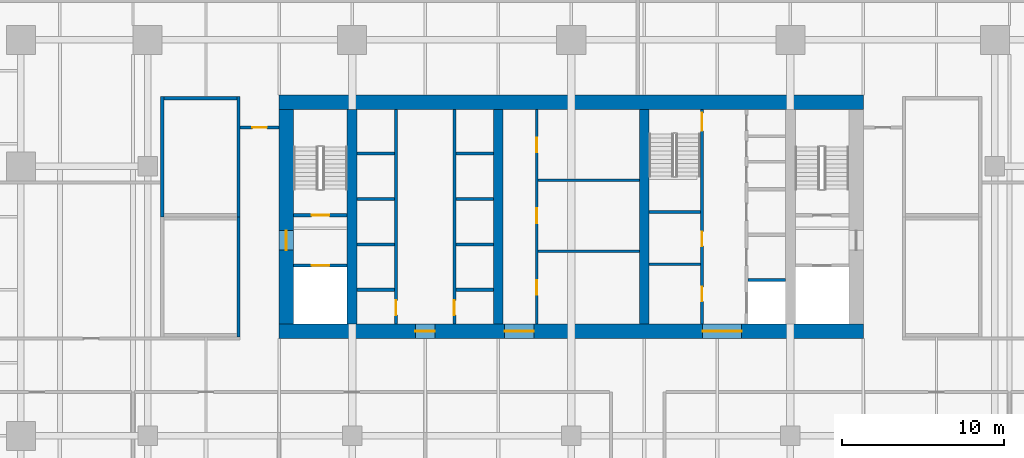
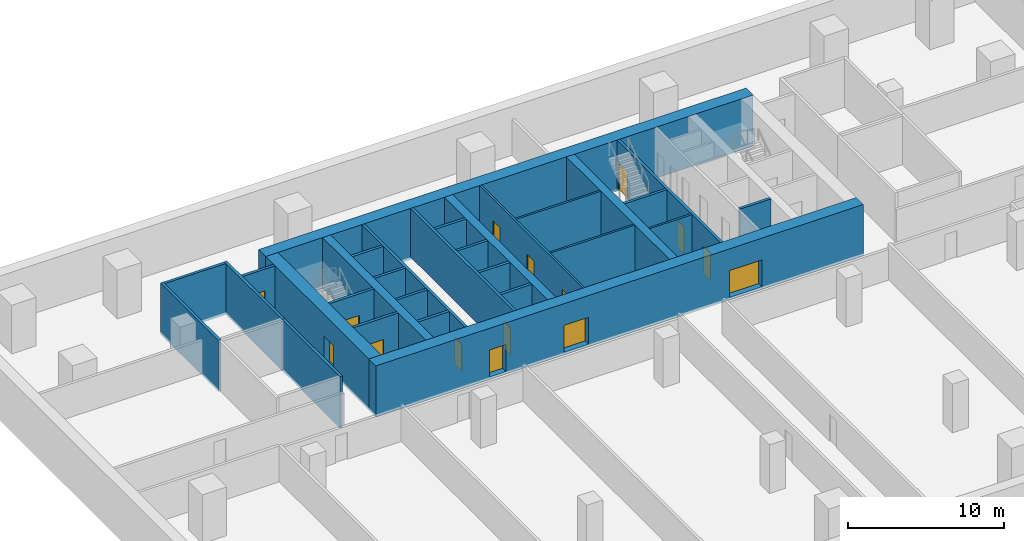
# One storey, part 7 of 10: 30 walls, 15 doors, 15 openings.
"""IFC4 building model written with IfcOpenShell, lengths in metres."""

from ifc_helpers import new_model, si_unit, direction, frame, frame_2d, origin, place, context, subcontext, project, spatial, rectangle, extrude, material, layer, layer_set, type_object, element, fill, save


model = new_model("IFC4")

# Units and contexts
model_context = context("Model", 3, precision=1e-05, world=origin(), true_north=direction((0.0, 1.0)))
body_context = subcontext(model_context, "Body", "Model", "MODEL_VIEW")
ifc_project = project(units=[si_unit("LENGTHUNIT", "METRE"), si_unit("AREAUNIT", "SQUARE_METRE"), si_unit("VOLUMEUNIT", "CUBIC_METRE"), si_unit("PLANEANGLEUNIT", "RADIAN"), si_unit("MASSUNIT", "GRAM", prefix="KILO")], contexts=[model_context])

# Site, building, storey
site_placement = place(None, origin())
site = spatial("IfcSite", under=ifc_project, at=site_placement, CompositionType="ELEMENT")
building_placement = place(site_placement, origin())
building = spatial("IfcBuilding", under=site, at=building_placement, Name="Rattan Terrace Tower", CompositionType="ELEMENT")
storey_placement = place(building_placement, frame((0.0, 0.0, -9.5)))
storey = spatial("IfcBuildingStorey", under=building, at=storey_placement, Name="B2", CompositionType="ELEMENT", Elevation=-9.5)

# Wall, openings, doors
ifc_material_1 = material(Name="Gypsum board partition")
ifc_layer_1 = layer(ifc_material_1, 0.14990234375)
ifc_layer_set_1 = layer_set([ifc_layer_1], Name="Core partition 150")
wall_type_1 = type_object("IfcWallType", Name="Core partition 150", PredefinedType="PARTITIONING", material=ifc_layer_set_1)
wall_1_placement = place(storey_placement, frame((-2.125, -6.60009765625, 0.0), z_axis=(0.0, 0.0, 1.0), x_axis=(0.0, 1.0, 0.0)))
wall_1 = element("IfcWall", 1, at=wall_1_placement, inside=storey, type_object=wall_type_1, Name="Core room wall", PredefinedType="PARTITIONING", context=body_context, shape_type="SweptSolid", body=[
    extrude(rectangle(XDim=13.2001953125, YDim=0.14990234375, at=frame_2d((6.60009765625, 0.0))), origin(), (0.0, 0.0, 1.0), 3.800048828125),
])
opening_1_placement = place(wall_1_placement, frame((1.7939453125, 0.0, 0.0)))
opening_1 = element("IfcOpeningElement", 2, at=opening_1_placement, cuts=wall_1, Name="Opening B2-D008", PredefinedType="OPENING", context=body_context, shape_type="SweptSolid", body=[
    extrude(rectangle(XDim=0.89990234375, YDim=2.10009765625, at=frame_2d((0.449951171875, 1.050048828125))), frame((0.0, 0.08544921875, 0.0), z_axis=(0.0, -1.0, 0.0), x_axis=(1.0, 0.0, 0.0)), (0.0, 0.0, 1.0), 0.1708984375),
])
opening_2_placement = place(wall_1_placement, frame((6.216064453125, 0.0, 0.0)))
opening_2 = element("IfcOpeningElement", 3, at=opening_2_placement, cuts=wall_1, Name="Opening B2-D009", PredefinedType="OPENING", context=body_context, shape_type="SweptSolid", body=[
    extrude(rectangle(XDim=0.89990234375, YDim=2.10009765625, at=frame_2d((0.449951171875, 1.050048828125))), frame((0.0, 0.08544921875, 0.0), z_axis=(0.0, -1.0, 0.0), x_axis=(1.0, 0.0, 0.0)), (0.0, 0.0, 1.0), 0.1708984375),
])
opening_3_placement = place(wall_1_placement, frame((10.572021484375, 0.0, 0.0)))
opening_3 = element("IfcOpeningElement", 4, at=opening_3_placement, cuts=wall_1, Name="Opening B2-D010", PredefinedType="OPENING", context=body_context, shape_type="SweptSolid", body=[
    extrude(rectangle(XDim=0.89990234375, YDim=2.10009765625, at=frame_2d((0.449951171875, 1.050048828125))), frame((0.0, 0.08544921875, 0.0), z_axis=(0.0, -1.0, 0.0), x_axis=(1.0, 0.0, 0.0)), (0.0, 0.0, 1.0), 0.1708984375),
])
ifc_material_2 = material(Name="Hollow-metal fire door leaf")
door_type_1 = type_object("IfcDoorType", Name="Core service room door 900", OperationType="NOTDEFINED", PredefinedType="DOOR", material=ifc_material_2)
door_1_placement = place(opening_1_placement, origin())
door_1 = element("IfcDoor", 5, at=door_1_placement, inside=storey, type_object=door_type_1, Name="Door B2-D008", OperationType="SINGLE_SWING_RIGHT", OverallHeight=2.10009765625, OverallWidth=0.89990234375, PredefinedType="DOOR", context=body_context, shape_type="SweptSolid", body=[
    extrude(rectangle(XDim=0.89990234375, YDim=2.10009765625, at=frame_2d((0.449951171875, 1.050048828125))), frame((0.0, 0.02490234375, 0.0), z_axis=(0.0, -1.0, 0.0), x_axis=(1.0, 0.0, 0.0)), (0.0, 0.0, 1.0), 0.050048828125),
])
fill(opening_1, door_1)
door_2_placement = place(opening_2_placement, origin())
door_2 = element("IfcDoor", 6, at=door_2_placement, inside=storey, type_object=door_type_1, Name="Door B2-D009", OperationType="SINGLE_SWING_LEFT", OverallHeight=2.10009765625, OverallWidth=0.89990234375, PredefinedType="DOOR", context=body_context, shape_type="SweptSolid", body=[
    extrude(rectangle(XDim=0.89990234375, YDim=2.10009765625, at=frame_2d((0.449951171875, 1.050048828125))), frame((0.0, 0.02490234375, 0.0), z_axis=(0.0, -1.0, 0.0), x_axis=(1.0, 0.0, 0.0)), (0.0, 0.0, 1.0), 0.050048828125),
])
fill(opening_2, door_2)
door_3_placement = place(opening_3_placement, origin())
door_3 = element("IfcDoor", 7, at=door_3_placement, inside=storey, type_object=door_type_1, Name="Door B2-D010", OperationType="SINGLE_SWING_RIGHT", OverallHeight=2.10009765625, OverallWidth=0.89990234375, PredefinedType="DOOR", context=body_context, shape_type="SweptSolid", body=[
    extrude(rectangle(XDim=0.89990234375, YDim=2.10009765625, at=frame_2d((0.449951171875, 1.050048828125))), frame((0.0, 0.02490234375, 0.0), z_axis=(0.0, -1.0, 0.0), x_axis=(1.0, 0.0, 0.0)), (0.0, 0.0, 1.0), 0.050048828125),
])
fill(opening_3, door_3)

# Walls
for number, where, z_axis, x_axis, name in (
    (8, (-2.050048828125, -2.112060546875, 0.0), (0.0, 0.0, 1.0), (1.0, 0.0, 0.0), "Core room wall"),
    (9, (-2.050048828125, 2.243896484375, 0.0), (0.0, 0.0, 1.0), (1.0, 0.0, 0.0), "Core room wall"),
):
    element("IfcWall", number, at=place(storey_placement, frame(where, z_axis=z_axis, x_axis=x_axis)), inside=storey, type_object=wall_type_1, Name=name, PredefinedType="PARTITIONING", context=body_context, shape_type="SweptSolid", body=[
        extrude(rectangle(XDim=6.25, YDim=0.14990234375, at=frame_2d((3.125, 0.0))), origin(), (0.0, 0.0, 1.0), 3.800048828125),
    ])
wall_2_placement = place(storey_placement, frame((4.800048828125, -2.927978515625, 0.0), z_axis=(0.0, 0.0, 1.0), x_axis=(1.0, 0.0, 0.0)))
element("IfcWall", 10, at=wall_2_placement, inside=storey, type_object=wall_type_1, Name="Toilet wall", PredefinedType="PARTITIONING", context=body_context, shape_type="SweptSolid", body=[
    extrude(rectangle(XDim=3.14990234375, YDim=0.14990234375, at=frame_2d((1.574951171875, 0.0))), origin(), (0.0, 0.0, 1.0), 3.800048828125),
])

# Wall, opening, door
ifc_material_3 = material(Name="Gypsum board partition")
ifc_layer_2 = layer(ifc_material_3, 0.199951171875)
ifc_layer_set_2 = layer_set([ifc_layer_2], Name="Core partition 200")
wall_type_2 = type_object("IfcWallType", Name="Core partition 200", PredefinedType="PARTITIONING", material=ifc_layer_set_2)
wall_3_placement = place(storey_placement, frame((-17.10009765625, -3.0, 0.0), z_axis=(0.0, 0.0, 1.0), x_axis=(1.0, 0.0, 0.0)))
wall_3 = element("IfcWall", 11, at=wall_3_placement, inside=storey, type_object=wall_type_2, Name="Fire-fighting lobby wall", PredefinedType="PARTITIONING", context=body_context, shape_type="SweptSolid", body=[
    extrude(rectangle(XDim=3.300048828125, YDim=0.199951171875, at=frame_2d((1.64990234375, 0.0))), origin(), (0.0, 0.0, 1.0), 3.800048828125),
])
opening_4_placement = place(wall_3_placement, frame((1.10009765625, 0.0, 0.0)))
opening_4 = element("IfcOpeningElement", 12, at=opening_4_placement, cuts=wall_3, Name="Opening B2-LD-FF1", PredefinedType="OPENING", context=body_context, shape_type="SweptSolid", body=[
    extrude(rectangle(XDim=1.10009765625, YDim=2.10009765625, at=frame_2d((0.550048828125, 1.050048828125))), frame((0.0, 0.110595703125, 0.0), z_axis=(0.0, -1.0, 0.0), x_axis=(1.0, 0.0, 0.0)), (0.0, 0.0, 1.0), 0.220947265625),
])
ifc_material_4 = material(Name="Brushed stainless landing door panel")
door_type_2 = type_object("IfcDoorType", Name="Core lift landing door 1100", OperationType="DOUBLE_DOOR_SLIDING", PredefinedType="DOOR", material=ifc_material_4)
door_4_placement = place(opening_4_placement, origin())
door_4 = element("IfcDoor", 13, at=door_4_placement, inside=storey, type_object=door_type_2, Name="Door B2-LD-FF1", OperationType="DOUBLE_DOOR_SLIDING", OverallHeight=2.10009765625, OverallWidth=1.10009765625, PredefinedType="DOOR", context=body_context, shape_type="SweptSolid", body=[
    extrude(rectangle(XDim=1.10009765625, YDim=2.10009765625, at=frame_2d((0.550048828125, 1.050048828125))), frame((0.0, 0.02490234375, 0.0), z_axis=(0.0, -1.0, 0.0), x_axis=(1.0, 0.0, 0.0)), (0.0, 0.0, 1.0), 0.050048828125),
])
fill(opening_4, door_4)

wall_4_placement = place(storey_placement, frame((-17.10009765625, 0.10009765625, 0.0), z_axis=(0.0, 0.0, 1.0), x_axis=(1.0, 0.0, 0.0)))
wall_4 = element("IfcWall", 14, at=wall_4_placement, inside=storey, type_object=wall_type_2, Name="Stair enclosure wall", PredefinedType="PARTITIONING", context=body_context, shape_type="SweptSolid", body=[
    extrude(rectangle(XDim=3.300048828125, YDim=0.199951171875, at=frame_2d((1.64990234375, 0.0))), origin(), (0.0, 0.0, 1.0), 3.800048828125),
])
opening_5_placement = place(wall_4_placement, frame((1.10009765625, 0.0, 0.0)))
opening_5 = element("IfcOpeningElement", 15, at=opening_5_placement, cuts=wall_4, Name="Opening B2-D002", PredefinedType="OPENING", context=body_context, shape_type="SweptSolid", body=[
    extrude(rectangle(XDim=1.10009765625, YDim=2.10009765625, at=frame_2d((0.550048828125, 1.050048828125))), frame((0.0, 0.110595703125, 0.0), z_axis=(0.0, -1.0, 0.0), x_axis=(1.0, 0.0, 0.0)), (0.0, 0.0, 1.0), 0.220947265625),
])
ifc_material_5 = material(Name="Hollow-metal fire door leaf")
door_type_3 = type_object("IfcDoorType", Name="Core stair door 1100", OperationType="NOTDEFINED", PredefinedType="DOOR", material=ifc_material_5)
door_5_placement = place(opening_5_placement, origin())
door_5 = element("IfcDoor", 16, at=door_5_placement, inside=storey, type_object=door_type_3, Name="Door B2-D002", OperationType="SINGLE_SWING_RIGHT", OverallHeight=2.10009765625, OverallWidth=1.10009765625, PredefinedType="DOOR", context=body_context, shape_type="SweptSolid", body=[
    extrude(rectangle(XDim=1.10009765625, YDim=2.10009765625, at=frame_2d((0.550048828125, 1.050048828125))), frame((0.0, 0.02490234375, 0.0), z_axis=(0.0, -1.0, 0.0), x_axis=(1.0, 0.0, 0.0)), (0.0, 0.0, 1.0), 0.050048828125),
])
fill(opening_5, door_5)

# Wall, openings, doors
wall_5_placement = place(storey_placement, frame((8.050048828125, -6.60009765625, 0.0), z_axis=(0.0, 0.0, 1.0), x_axis=(0.0, 1.0, 0.0)))
wall_5 = element("IfcWall", 17, at=wall_5_placement, inside=storey, type_object=wall_type_2, Name="Lobby wall west", PredefinedType="PARTITIONING", context=body_context, shape_type="SweptSolid", body=[
    extrude(rectangle(XDim=13.2001953125, YDim=0.199951171875, at=frame_2d((6.60009765625, 0.0))), origin(), (0.0, 0.0, 1.0), 3.800048828125),
])
opening_6_placement = place(wall_5_placement, frame((1.385986328125, 0.0, 0.0)))
opening_6 = element("IfcOpeningElement", 18, at=opening_6_placement, cuts=wall_5, Name="Opening B2-D012", PredefinedType="OPENING", context=body_context, shape_type="SweptSolid", body=[
    extrude(rectangle(XDim=0.89990234375, YDim=2.10009765625, at=frame_2d((0.449951171875, 1.050048828125))), frame((0.0, 0.110595703125, 0.0), z_axis=(0.0, -1.0, 0.0), x_axis=(1.0, 0.0, 0.0)), (0.0, 0.0, 1.0), 0.220947265625),
])
opening_7_placement = place(wall_5_placement, frame((4.785888671875, 0.0, 0.0)))
opening_7 = element("IfcOpeningElement", 19, at=opening_7_placement, cuts=wall_5, Name="Opening B2-D013", PredefinedType="OPENING", context=body_context, shape_type="SweptSolid", body=[
    extrude(rectangle(XDim=0.89990234375, YDim=2.10009765625, at=frame_2d((0.449951171875, 1.050048828125))), frame((0.0, 0.110595703125, 0.0), z_axis=(0.0, -1.0, 0.0), x_axis=(1.0, 0.0, 0.0)), (0.0, 0.0, 1.0), 0.220947265625),
])
opening_8_placement = place(wall_5_placement, frame((11.89990234375, 0.0, 0.0)))
opening_8 = element("IfcOpeningElement", 20, at=opening_8_placement, cuts=wall_5, Name="Opening B2-D014", PredefinedType="OPENING", context=body_context, shape_type="SweptSolid", body=[
    extrude(rectangle(XDim=1.10009765625, YDim=2.10009765625, at=frame_2d((0.550048828125, 1.050048828125))), frame((0.0, 0.110595703125, 0.0), z_axis=(0.0, -1.0, 0.0), x_axis=(1.0, 0.0, 0.0)), (0.0, 0.0, 1.0), 0.220947265625),
])
door_6_placement = place(opening_8_placement, origin())
door_6 = element("IfcDoor", 21, at=door_6_placement, inside=storey, type_object=door_type_3, Name="Door B2-D014", OperationType="SINGLE_SWING_RIGHT", OverallHeight=2.10009765625, OverallWidth=1.10009765625, PredefinedType="DOOR", context=body_context, shape_type="SweptSolid", body=[
    extrude(rectangle(XDim=1.10009765625, YDim=2.10009765625, at=frame_2d((0.550048828125, 1.050048828125))), frame((0.0, 0.02490234375, 0.0), z_axis=(0.0, -1.0, 0.0), x_axis=(1.0, 0.0, 0.0)), (0.0, 0.0, 1.0), 0.050048828125),
])
fill(opening_8, door_6)
ifc_material_6 = material(Name="Hollow-metal fire door leaf")
door_type_4 = type_object("IfcDoorType", Name="Core toilet door 900", OperationType="NOTDEFINED", PredefinedType="DOOR", material=ifc_material_6)
door_7_placement = place(opening_6_placement, origin())
door_7 = element("IfcDoor", 22, at=door_7_placement, inside=storey, type_object=door_type_4, Name="Door B2-D012", OperationType="SINGLE_SWING_RIGHT", OverallHeight=2.10009765625, OverallWidth=0.89990234375, PredefinedType="DOOR", context=body_context, shape_type="SweptSolid", body=[
    extrude(rectangle(XDim=0.89990234375, YDim=2.10009765625, at=frame_2d((0.449951171875, 1.050048828125))), frame((0.0, 0.02490234375, 0.0), z_axis=(0.0, -1.0, 0.0), x_axis=(1.0, 0.0, 0.0)), (0.0, 0.0, 1.0), 0.050048828125),
])
fill(opening_6, door_7)
door_8_placement = place(opening_7_placement, origin())
door_8 = element("IfcDoor", 23, at=door_8_placement, inside=storey, type_object=door_type_4, Name="Door B2-D013", OperationType="SINGLE_SWING_LEFT", OverallHeight=2.10009765625, OverallWidth=0.89990234375, PredefinedType="DOOR", context=body_context, shape_type="SweptSolid", body=[
    extrude(rectangle(XDim=0.89990234375, YDim=2.10009765625, at=frame_2d((0.449951171875, 1.050048828125))), frame((0.0, 0.02490234375, 0.0), z_axis=(0.0, -1.0, 0.0), x_axis=(1.0, 0.0, 0.0)), (0.0, 0.0, 1.0), 0.050048828125),
])
fill(opening_7, door_8)

# Wall
wall_6_placement = place(storey_placement, frame((4.800048828125, 0.300048828125, 0.0), z_axis=(0.0, 0.0, 1.0), x_axis=(1.0, 0.0, 0.0)))
element("IfcWall", 24, at=wall_6_placement, inside=storey, type_object=wall_type_2, Name="Stair enclosure wall", PredefinedType="PARTITIONING", context=body_context, shape_type="SweptSolid", body=[
    extrude(rectangle(XDim=3.14990234375, YDim=0.199951171875, at=frame_2d((1.574951171875, 0.0))), origin(), (0.0, 0.0, 1.0), 3.800048828125),
])

# Wall, openings, doors
ifc_material_7 = material(Name="Concrete C70/85", Category="concrete")
ifc_layer_3 = layer(ifc_material_7, 0.89990234375)
ifc_layer_set_3 = layer_set([ifc_layer_3], Name="Core ring wall 900 C70/85")
wall_type_3 = type_object("IfcWallType", Name="Core ring wall 900 C70/85", PredefinedType="SHEAR", material=ifc_layer_set_3)
wall_7_placement = place(storey_placement, frame((-18.0, -7.050048828125, -0.199951171875), z_axis=(0.0, 0.0, 1.0), x_axis=(1.0, 0.0, 0.0)))
wall_7 = element("IfcWall", 25, at=wall_7_placement, inside=storey, type_object=wall_type_3, Name="Rear core wall south", PredefinedType="SHEAR", context=body_context, shape_type="SweptSolid", body=[
    extrude(rectangle(XDim=36.0, YDim=0.89990234375, at=frame_2d((18.0, 0.0))), origin(), (0.0, 0.0, 1.0), 4.0),
])
opening_9_placement = place(wall_7_placement, frame((8.39990234375, 0.0, 0.199951171875)))
opening_9 = element("IfcOpeningElement", 26, at=opening_9_placement, cuts=wall_7, Name="Opening B2-D007", PredefinedType="OPENING", context=body_context, shape_type="SweptSolid", body=[
    extrude(rectangle(XDim=1.199951171875, YDim=2.10009765625, at=frame_2d((0.60009765625, 1.050048828125))), frame((0.0, 0.46044921875, 0.0), z_axis=(0.0, -1.0, 0.0), x_axis=(1.0, 0.0, 0.0)), (0.0, 0.0, 1.0), 0.9208984375),
])
opening_10_placement = place(wall_7_placement, frame((13.89990234375, 0.0, 0.199951171875)))
opening_10 = element("IfcOpeningElement", 27, at=opening_10_placement, cuts=wall_7, Name="Opening B2-D011", PredefinedType="OPENING", context=body_context, shape_type="SweptSolid", body=[
    extrude(rectangle(XDim=1.800048828125, YDim=2.10009765625, at=frame_2d((0.89990234375, 1.050048828125))), frame((0.0, 0.46044921875, 0.0), z_axis=(0.0, -1.0, 0.0), x_axis=(1.0, 0.0, 0.0)), (0.0, 0.0, 1.0), 0.9208984375),
])
opening_11_placement = place(wall_7_placement, frame((26.10009765625, 0.0, 0.199951171875)))
opening_11 = element("IfcOpeningElement", 28, at=opening_11_placement, cuts=wall_7, Name="Opening B2-D015", PredefinedType="OPENING", context=body_context, shape_type="SweptSolid", body=[
    extrude(rectangle(XDim=2.39990234375, YDim=2.10009765625, at=frame_2d((1.199951171875, 1.050048828125))), frame((0.0, 0.46044921875, 0.0), z_axis=(0.0, -1.0, 0.0), x_axis=(1.0, 0.0, 0.0)), (0.0, 0.0, 1.0), 0.9208984375),
])
ifc_material_8 = material(Name="Hollow-metal fire door leaf")
door_type_5 = type_object("IfcDoorType", Name="Core lift lobby door 2400", OperationType="NOTDEFINED", PredefinedType="DOOR", material=ifc_material_8)
door_9_placement = place(opening_11_placement, origin())
door_9 = element("IfcDoor", 29, at=door_9_placement, inside=storey, type_object=door_type_5, Name="Door B2-D015", OperationType="DOUBLE_DOOR_DOUBLE_SWING", OverallHeight=2.10009765625, OverallWidth=2.39990234375, PredefinedType="DOOR", context=body_context, shape_type="SweptSolid", body=[
    extrude(rectangle(XDim=2.39990234375, YDim=2.10009765625, at=frame_2d((1.199951171875, 1.050048828125))), frame((0.0, 0.02490234375, 0.0), z_axis=(0.0, -1.0, 0.0), x_axis=(1.0, 0.0, 0.0)), (0.0, 0.0, 1.0), 0.050048828125),
])
fill(opening_11, door_9)
ifc_material_9 = material(Name="Hollow-metal fire door leaf")
door_type_6 = type_object("IfcDoorType", Name="Core riser door 1200", OperationType="NOTDEFINED", PredefinedType="DOOR", material=ifc_material_9)
door_10_placement = place(opening_9_placement, origin())
door_10 = element("IfcDoor", 30, at=door_10_placement, inside=storey, type_object=door_type_6, Name="Door B2-D007", OperationType="SINGLE_SWING_LEFT", OverallHeight=2.10009765625, OverallWidth=1.199951171875, PredefinedType="DOOR", context=body_context, shape_type="SweptSolid", body=[
    extrude(rectangle(XDim=1.199951171875, YDim=2.10009765625, at=frame_2d((0.60009765625, 1.050048828125))), frame((0.0, 0.02490234375, 0.0), z_axis=(0.0, -1.0, 0.0), x_axis=(1.0, 0.0, 0.0)), (0.0, 0.0, 1.0), 0.050048828125),
])
fill(opening_9, door_10)
ifc_material_10 = material(Name="Hollow-metal fire door leaf")
door_type_7 = type_object("IfcDoorType", Name="Core service room door 1800", OperationType="NOTDEFINED", PredefinedType="DOOR", material=ifc_material_10)
door_11_placement = place(opening_10_placement, origin())
door_11 = element("IfcDoor", 31, at=door_11_placement, inside=storey, type_object=door_type_7, Name="Door B2-D011", OperationType="SINGLE_SWING_LEFT", OverallHeight=2.10009765625, OverallWidth=1.800048828125, PredefinedType="DOOR", context=body_context, shape_type="SweptSolid", body=[
    extrude(rectangle(XDim=1.800048828125, YDim=2.10009765625, at=frame_2d((0.89990234375, 1.050048828125))), frame((0.0, 0.02490234375, 0.0), z_axis=(0.0, -1.0, 0.0), x_axis=(1.0, 0.0, 0.0)), (0.0, 0.0, 1.0), 0.050048828125),
])
fill(opening_10, door_11)

# Wall
wall_8_placement = place(storey_placement, frame((-18.0, 7.050048828125, -0.199951171875), z_axis=(0.0, 0.0, 1.0), x_axis=(1.0, 0.0, 0.0)))
element("IfcWall", 32, at=wall_8_placement, inside=storey, type_object=wall_type_3, Name="Rear core wall north", PredefinedType="SHEAR", context=body_context, shape_type="SweptSolid", body=[
    extrude(rectangle(XDim=36.0, YDim=0.89990234375, at=frame_2d((18.0, 0.0))), origin(), (0.0, 0.0, 1.0), 4.0),
])

# Wall, opening, door
wall_9_placement = place(storey_placement, frame((-17.550048828125, -6.60009765625, -0.199951171875), z_axis=(0.0, 0.0, 1.0), x_axis=(0.0, 1.0, 0.0)))
wall_9 = element("IfcWall", 33, at=wall_9_placement, inside=storey, type_object=wall_type_3, Name="Rear core wall west", PredefinedType="SHEAR", context=body_context, shape_type="SweptSolid", body=[
    extrude(rectangle(XDim=13.2001953125, YDim=0.89990234375, at=frame_2d((6.60009765625, 0.0))), origin(), (0.0, 0.0, 1.0), 4.0),
])
opening_12_placement = place(wall_9_placement, frame((4.550048828125, 0.0, 0.199951171875)))
opening_12 = element("IfcOpeningElement", 34, at=opening_12_placement, cuts=wall_9, Name="Opening B2-D001", PredefinedType="OPENING", context=body_context, shape_type="SweptSolid", body=[
    extrude(rectangle(XDim=1.199951171875, YDim=2.10009765625, at=frame_2d((0.60009765625, 1.050048828125))), frame((0.0, 0.46044921875, 0.0), z_axis=(0.0, -1.0, 0.0), x_axis=(1.0, 0.0, 0.0)), (0.0, 0.0, 1.0), 0.9208984375),
])
ifc_material_11 = material(Name="Hollow-metal fire door leaf")
door_type_8 = type_object("IfcDoorType", Name="Core fire-fighting lobby door 1200", OperationType="NOTDEFINED", PredefinedType="DOOR", material=ifc_material_11)
door_12_placement = place(opening_12_placement, origin())
door_12 = element("IfcDoor", 35, at=door_12_placement, inside=storey, type_object=door_type_8, Name="Door B2-D001", OperationType="SINGLE_SWING_LEFT", OverallHeight=2.10009765625, OverallWidth=1.199951171875, PredefinedType="DOOR", context=body_context, shape_type="SweptSolid", body=[
    extrude(rectangle(XDim=1.199951171875, YDim=2.10009765625, at=frame_2d((0.60009765625, 1.050048828125))), frame((0.0, 0.02490234375, 0.0), z_axis=(0.0, -1.0, 0.0), x_axis=(1.0, 0.0, 0.0)), (0.0, 0.0, 1.0), 0.050048828125),
])
fill(opening_12, door_12)

# Walls
ifc_material_12 = material(Name="Concrete C70/85", Category="concrete")
ifc_layer_4 = layer(ifc_material_12, 0.60009765625)
ifc_layer_set_4 = layer_set([ifc_layer_4], Name="Core spine wall 600 C70/85")
wall_type_4 = type_object("IfcWallType", Name="Core spine wall 600 C70/85", PredefinedType="SHEAR", material=ifc_layer_set_4)
for number, where, z_axis, x_axis, name in (
    (36, (-13.5, -6.60009765625, -0.199951171875), (0.0, 0.0, 1.0), (0.0, 1.0, 0.0), "Core spine wall 1"),
    (37, (-4.5, -6.60009765625, -0.199951171875), (0.0, 0.0, 1.0), (0.0, 1.0, 0.0), "Core spine wall 2"),
    (38, (4.5, -6.60009765625, -0.199951171875), (0.0, 0.0, 1.0), (0.0, 1.0, 0.0), "Core spine wall 3"),
):
    element("IfcWall", number, at=place(storey_placement, frame(where, z_axis=z_axis, x_axis=x_axis)), inside=storey, type_object=wall_type_4, Name=name, PredefinedType="SHEAR", context=body_context, shape_type="SweptSolid", body=[
        extrude(rectangle(XDim=13.2001953125, YDim=0.60009765625, at=frame_2d((6.60009765625, 0.0))), origin(), (0.0, 0.0, 1.0), 4.0),
    ])

# Wall, opening, door
ifc_material_13 = material(Name="Concrete block wall, plastered", Category="concrete")
ifc_layer_5 = layer(ifc_material_13, 0.199951171875)
ifc_layer_set_5 = layer_set([ifc_layer_5], Name="Floors Plant Wall 200")
wall_type_5 = type_object("IfcWallType", Name="Floors Plant Wall 200", PredefinedType="PARTITIONING", material=ifc_layer_set_5)
wall_10_placement = place(storey_placement, frame((-20.39990234375, 5.5, 0.0), z_axis=(0.0, 0.0, 1.0), x_axis=(1.0, 0.0, 0.0)))
wall_10 = element("IfcWall", 39, at=wall_10_placement, inside=storey, type_object=wall_type_5, Name="pt-B2-011", PredefinedType="PARTITIONING", context=body_context, shape_type="SweptSolid", body=[
    extrude(rectangle(XDim=2.39990234375, YDim=0.199951171875, at=frame_2d((1.199951171875, 0.0))), origin(), (0.0, 0.0, 1.0), 3.800048828125),
])
opening_13_placement = place(wall_10_placement, frame((0.75, 0.0, 0.0)))
opening_13 = element("IfcOpeningElement", 40, at=opening_13_placement, cuts=wall_10, Name="Opening B2-D108", PredefinedType="OPENING", context=body_context, shape_type="SweptSolid", body=[
    extrude(rectangle(XDim=0.89990234375, YDim=2.10009765625, at=frame_2d((0.449951171875, 1.050048828125))), frame((0.0, 0.110595703125, 0.0), z_axis=(0.0, -1.0, 0.0), x_axis=(1.0, 0.0, 0.0)), (0.0, 0.0, 1.0), 0.220947265625),
])
ifc_material_14 = material(Name="Steel fire door set", Category="steel")
door_type_9 = type_object("IfcDoorType", Name="Floors Fire Door FD60 900x2100", OperationType="NOTDEFINED", PredefinedType="DOOR", material=ifc_material_14)
door_13_placement = place(opening_13_placement, origin())
door_13 = element("IfcDoor", 41, at=door_13_placement, inside=storey, type_object=door_type_9, Name="d-B2-108", OperationType="SINGLE_SWING_LEFT", OverallHeight=2.10009765625, OverallWidth=0.89990234375, PredefinedType="DOOR", context=body_context, shape_type="SweptSolid", body=[
    extrude(rectangle(XDim=0.89990234375, YDim=2.10009765625, at=frame_2d((0.449951171875, 1.050048828125))), frame((0.0, 0.02490234375, 0.0), z_axis=(0.0, -1.0, 0.0), x_axis=(1.0, 0.0, 0.0)), (0.0, 0.0, 1.0), 0.050048828125),
])
fill(opening_13, door_13)

ifc_material_15 = material(Name="Gypsum shaft wall system")
ifc_layer_6 = layer(ifc_material_15, 0.199951171875)
ifc_layer_set_6 = layer_set([ifc_layer_6], Name="Lift shaft wall 200")
wall_type_6 = type_object("IfcWallType", Name="Lift shaft wall 200", PredefinedType="PARTITIONING", material=ifc_layer_set_6)
wall_11_placement = place(storey_placement, frame((-10.800048828125, -6.60009765625, 0.0), z_axis=(0.0, 0.0, 1.0), x_axis=(0.0, 1.0, 0.0)))
wall_11 = element("IfcWall", 42, at=wall_11_placement, inside=storey, type_object=wall_type_6, Name="Lift shaft front wall", PredefinedType="PARTITIONING", context=body_context, shape_type="SweptSolid", body=[
    extrude(rectangle(XDim=13.2001953125, YDim=0.199951171875, at=frame_2d((6.60009765625, 0.0))), origin(), (0.0, 0.0, 1.0), 3.800048828125),
])
opening_14_placement = place(wall_11_placement, frame((0.550048828125, 0.0, 0.0)))
opening_14 = element("IfcOpeningElement", 43, at=opening_14_placement, cuts=wall_11, Name="Opening B2-D005", PredefinedType="OPENING", context=body_context, shape_type="SweptSolid", body=[
    extrude(rectangle(XDim=0.89990234375, YDim=2.10009765625, at=frame_2d((0.449951171875, 1.050048828125))), frame((0.0, 0.110595703125, 0.0), z_axis=(0.0, -1.0, 0.0), x_axis=(1.0, 0.0, 0.0)), (0.0, 0.0, 1.0), 0.220947265625),
])
ifc_material_16 = material(Name="Hollow-metal fire door leaf")
door_type_10 = type_object("IfcDoorType", Name="Core riser door 900", OperationType="NOTDEFINED", PredefinedType="DOOR", material=ifc_material_16)
door_14_placement = place(opening_14_placement, origin())
door_14 = element("IfcDoor", 44, at=door_14_placement, inside=storey, type_object=door_type_10, Name="Door B2-D005", OperationType="SINGLE_SWING_LEFT", OverallHeight=2.10009765625, OverallWidth=0.89990234375, PredefinedType="DOOR", context=body_context, shape_type="SweptSolid", body=[
    extrude(rectangle(XDim=0.89990234375, YDim=2.10009765625, at=frame_2d((0.449951171875, 1.050048828125))), frame((0.0, 0.02490234375, 0.0), z_axis=(0.0, -1.0, 0.0), x_axis=(1.0, 0.0, 0.0)), (0.0, 0.0, 1.0), 0.050048828125),
])
fill(opening_14, door_14)

wall_12_placement = place(storey_placement, frame((-7.199951171875, -6.60009765625, 0.0), z_axis=(0.0, 0.0, 1.0), x_axis=(0.0, 1.0, 0.0)))
wall_12 = element("IfcWall", 45, at=wall_12_placement, inside=storey, type_object=wall_type_6, Name="Lift shaft front wall", PredefinedType="PARTITIONING", context=body_context, shape_type="SweptSolid", body=[
    extrude(rectangle(XDim=13.2001953125, YDim=0.199951171875, at=frame_2d((6.60009765625, 0.0))), origin(), (0.0, 0.0, 1.0), 3.800048828125),
])
opening_15_placement = place(wall_12_placement, frame((0.550048828125, 0.0, 0.0)))
opening_15 = element("IfcOpeningElement", 46, at=opening_15_placement, cuts=wall_12, Name="Opening B2-D006", PredefinedType="OPENING", context=body_context, shape_type="SweptSolid", body=[
    extrude(rectangle(XDim=0.89990234375, YDim=2.10009765625, at=frame_2d((0.449951171875, 1.050048828125))), frame((0.0, 0.110595703125, 0.0), z_axis=(0.0, -1.0, 0.0), x_axis=(1.0, 0.0, 0.0)), (0.0, 0.0, 1.0), 0.220947265625),
])
door_15_placement = place(opening_15_placement, origin())
door_15 = element("IfcDoor", 47, at=door_15_placement, inside=storey, type_object=door_type_10, Name="Door B2-D006", OperationType="SINGLE_SWING_RIGHT", OverallHeight=2.10009765625, OverallWidth=0.89990234375, PredefinedType="DOOR", context=body_context, shape_type="SweptSolid", body=[
    extrude(rectangle(XDim=0.89990234375, YDim=2.10009765625, at=frame_2d((0.449951171875, 1.050048828125))), frame((0.0, 0.02490234375, 0.0), z_axis=(0.0, -1.0, 0.0), x_axis=(1.0, 0.0, 0.0)), (0.0, 0.0, 1.0), 0.050048828125),
])
fill(opening_15, door_15)

# Walls
for number, where, z_axis, x_axis, name in (
    (48, (-13.199951171875, -1.699951171875, 0.0), (0.0, 0.0, 1.0), (1.0, 0.0, 0.0), "Lift shaft wall"),
    (49, (-13.199951171875, 1.10009765625, 0.0), (0.0, 0.0, 1.0), (1.0, 0.0, 0.0), "Lift shaft wall"),
    (50, (-13.199951171875, 3.89990234375, 0.0), (0.0, 0.0, 1.0), (1.0, 0.0, 0.0), "Lift shaft wall"),
    (51, (-13.199951171875, -4.5, 0.0), (0.0, 0.0, 1.0), (1.0, 0.0, 0.0), "Lift shaft wall"),
    (52, (-7.10009765625, -1.699951171875, 0.0), (0.0, 0.0, 1.0), (1.0, 0.0, 0.0), "Lift shaft wall"),
    (53, (-7.10009765625, 1.10009765625, 0.0), (0.0, 0.0, 1.0), (1.0, 0.0, 0.0), "Lift shaft wall"),
    (54, (-7.10009765625, 3.89990234375, 0.0), (0.0, 0.0, 1.0), (1.0, 0.0, 0.0), "Lift shaft wall"),
    (55, (-7.10009765625, -4.5, 0.0), (0.0, 0.0, 1.0), (1.0, 0.0, 0.0), "Lift shaft wall"),
    (56, (10.89990234375, -3.89990234375, 0.0), (0.0, 0.0, 1.0), (1.0, 0.0, 0.0), "Lift shaft wall"),
):
    element("IfcWall", number, at=place(storey_placement, frame(where, z_axis=z_axis, x_axis=x_axis)), inside=storey, type_object=wall_type_6, Name=name, PredefinedType="PARTITIONING", context=body_context, shape_type="SweptSolid", body=[
        extrude(rectangle(XDim=2.300048828125, YDim=0.199951171875, at=frame_2d((1.14990234375, 0.0))), origin(), (0.0, 0.0, 1.0), 3.800048828125),
    ])
ifc_material_17 = material(Name="Concrete C40/50", Category="concrete")
ifc_layer_7 = layer(ifc_material_17, 0.199951171875)
ifc_layer_set_7 = layer_set([ifc_layer_7], Name="Podium exit stair shaft wall 200")
wall_type_7 = type_object("IfcWallType", Name="Podium exit stair shaft wall 200", PredefinedType="SHEAR", material=ifc_layer_set_7)
for number, where, z_axis, x_axis, name in (
    (57, (-20.5, 0.0, -0.199951171875), (0.0, 0.0, 1.0), (0.0, -1.0, 0.0), "B2 stair S4 shaft wall"),
    (58, (-20.5, 7.39990234375, -0.199951171875), (0.0, 0.0, 1.0), (0.0, -1.0, 0.0), "B2 stair S5 shaft wall"),
    (59, (-25.199951171875, 0.0, -0.199951171875), (0.0, 0.0, 1.0), (0.0, 1.0, 0.0), "B2 stair S5 shaft wall"),
):
    element("IfcWall", number, at=place(storey_placement, frame(where, z_axis=z_axis, x_axis=x_axis)), inside=storey, type_object=wall_type_7, Name=name, PredefinedType="SHEAR", context=body_context, shape_type="SweptSolid", body=[
        extrude(rectangle(XDim=7.39990234375, YDim=0.199951171875, at=frame_2d((3.699951171875, 0.0))), origin(), (0.0, 0.0, 1.0), 4.0),
    ])
wall_13_placement = place(storey_placement, frame((-25.10009765625, 7.300048828125, -0.199951171875), z_axis=(0.0, 0.0, 1.0), x_axis=(1.0, 0.0, 0.0)))
element("IfcWall", 60, at=wall_13_placement, inside=storey, type_object=wall_type_7, Name="B2 stair S5 shaft wall", PredefinedType="SHEAR", context=body_context, shape_type="SweptSolid", body=[
    extrude(rectangle(XDim=4.5, YDim=0.199951171875, at=frame_2d((2.25, 0.0))), origin(), (0.0, 0.0, 1.0), 4.0),
])

save(model, "model.ifc")
